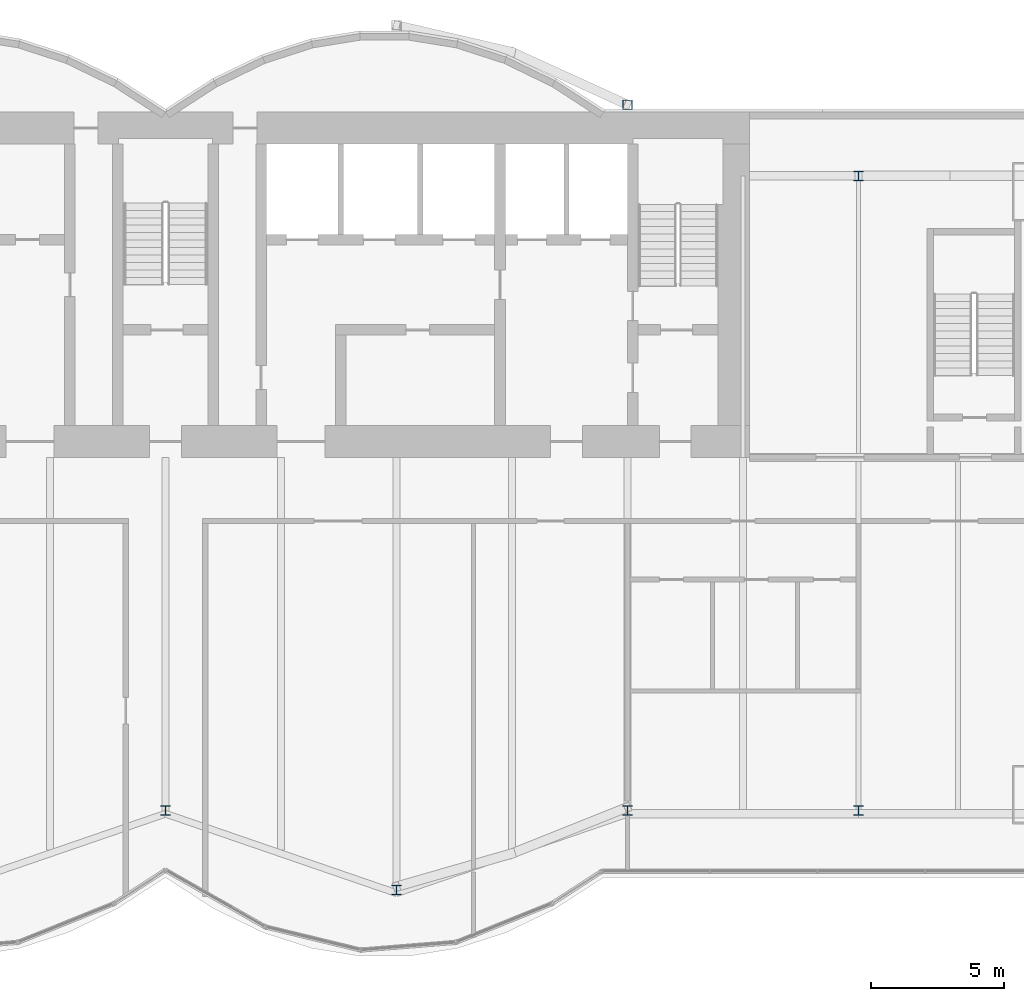
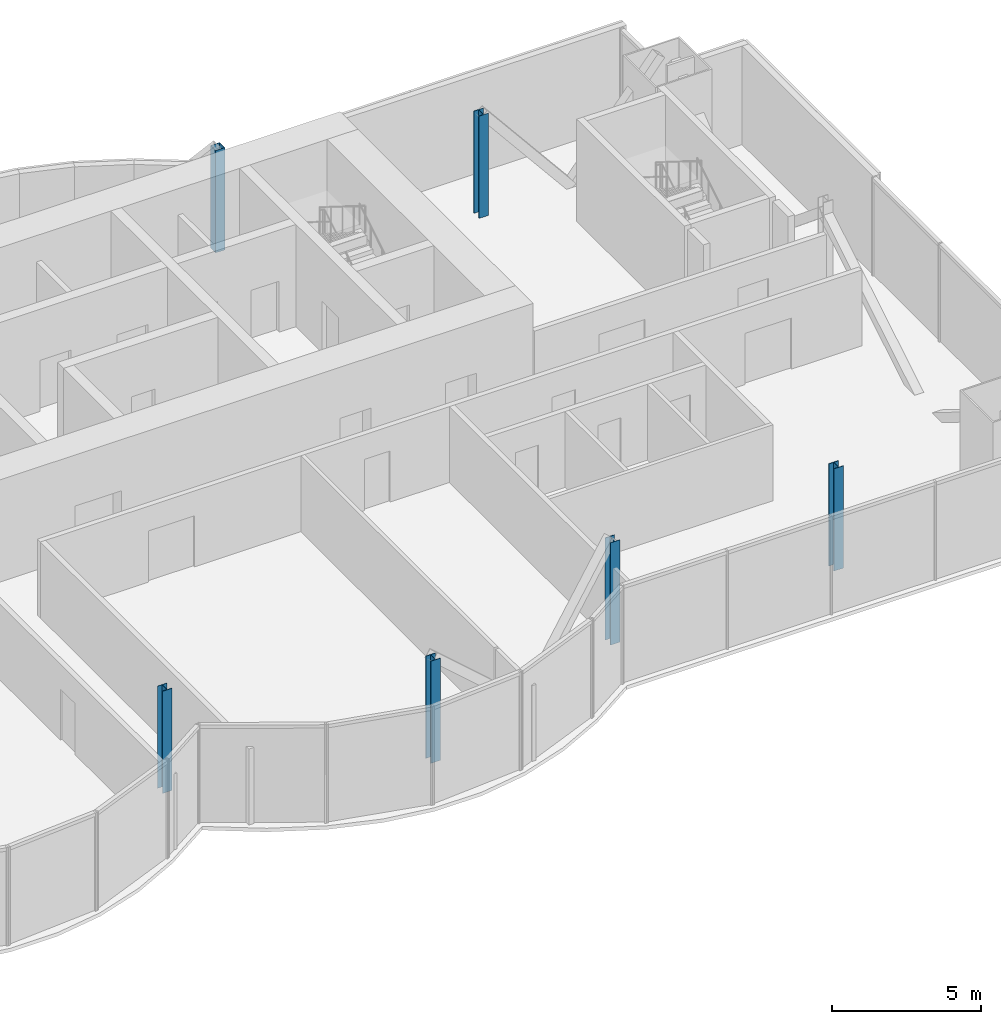
# One storey, part 2 of 19: 6 columns.
"""IFC4 building model written with IfcOpenShell, lengths in metres."""

from ifc_helpers import new_model, si_unit, direction, frame, origin, origin_2d, place, context, subcontext, project, spatial, hollow_rectangle, i_section, extrude, material, material_profile, profile_set, type_object, element, save


model = new_model("IFC4")

# Units and contexts
model_context = context("Model", 3, precision=1e-05, world=origin(), true_north=direction((0.0, 1.0)))
body_context = subcontext(model_context, "Body", "Model", "MODEL_VIEW")
ifc_project = project(units=[si_unit("LENGTHUNIT", "METRE"), si_unit("AREAUNIT", "SQUARE_METRE"), si_unit("VOLUMEUNIT", "CUBIC_METRE"), si_unit("PLANEANGLEUNIT", "RADIAN"), si_unit("MASSUNIT", "GRAM", prefix="KILO")], contexts=[model_context])

# Site, building, storey
site_placement = place(None, origin())
site = spatial("IfcSite", under=ifc_project, at=site_placement, CompositionType="ELEMENT")
building_placement = place(site_placement, origin())
building = spatial("IfcBuilding", under=site, at=building_placement, Name="Bicima Exchange Tower", CompositionType="ELEMENT")
storey_placement = place(building_placement, frame((0.0, 0.0, 266.60009765625)))
storey = spatial("IfcBuildingStorey", under=building, at=storey_placement, Name="L60", CompositionType="ELEMENT", Elevation=266.60009765625)

# Columns
ifc_material_1 = material(Name="Steel ASTM A992 Gr 50", Category="steel")
ifc_material_profile_1 = material_profile(ifc_material_1, i_section(OverallWidth=0.370849609375, OverallDepth=0.36328125, WebThickness=0.013427734375, FlangeThickness=0.021728515625, at=origin_2d()))
ifc_profile_set_1 = profile_set([ifc_material_profile_1], Name="Steel ASTM A992 Gr 50")
column_type_1 = type_object("IfcColumnType", Name="Perimeter column W14x109", PredefinedType="COLUMN", material=ifc_profile_set_1)
for number, where, z_axis, x_axis, name in (
    (1, (0.0, -26.302001953125, 0.0), (0.0, 0.0, 1.0), (1.0, 0.0, 0.0), "Perimeter column grav-0.0f"),
    (2, (8.699951171875, -29.293212890625, 0.0), (0.0, 0.0, 1.0), (1.0, 0.0, 0.0), "Perimeter column grav+8.7f"),
    (3, (17.39990234375, -26.302001953125, 0.0), (0.0, 0.0, 1.0), (1.0, 0.0, 0.0), "Perimeter column grav+17.4f"),
    (4, (26.10009765625, -26.302001953125, 0.0), (0.0, 0.0, 1.0), (1.0, 0.0, 0.0), "Perimeter column grav+26.1f"),
    (5, (26.10009765625, -2.39990234375, 0.0), (0.0, 0.0, 1.0), (1.0, 0.0, 0.0), "Perimeter column grav+26.1r"),
):
    element("IfcColumn", number, at=place(storey_placement, frame(where, z_axis=z_axis, x_axis=x_axis)), inside=storey, type_object=column_type_1, Name=name, PredefinedType="COLUMN", context=body_context, shape_type="SweptSolid", body=[
        extrude(i_section(OverallWidth=0.370849609375, OverallDepth=0.36328125, WebThickness=0.013427734375, FlangeThickness=0.021728515625, at=origin_2d()), origin(), (0.0, 0.0, 1.0), 4.199951171875),
    ])
ifc_material_2 = material(Name="Steel ASTM A572 Gr 50", Category="steel")
ifc_material_profile_2 = material_profile(ifc_material_2, hollow_rectangle(XDim=0.355712890625, YDim=0.355712890625, WallThickness=0.01171875, at=origin_2d()))
ifc_profile_set_2 = profile_set([ifc_material_profile_2], Name="Steel ASTM A572 Gr 50")
column_type_2 = type_object("IfcColumnType", Name="Rear pilaster HSS14x14x1/2", PredefinedType="COLUMN", material=ifc_profile_set_2)
column_placement = place(storey_placement, frame((17.39990234375, 0.278076171875, 0.0), z_axis=(0.0, 0.0, 1.0), x_axis=(1.0, 0.0, 0.0)))
element("IfcColumn", 6, at=column_placement, inside=storey, type_object=column_type_2, Name="Rear pilaster rexo+17.4r", PredefinedType="COLUMN", context=body_context, shape_type="SweptSolid", body=[
    extrude(hollow_rectangle(XDim=0.355712890625, YDim=0.355712890625, WallThickness=0.01171875, at=origin_2d()), origin(), (0.0, 0.0, 1.0), 4.199951171875),
])

save(model, "model.ifc")
